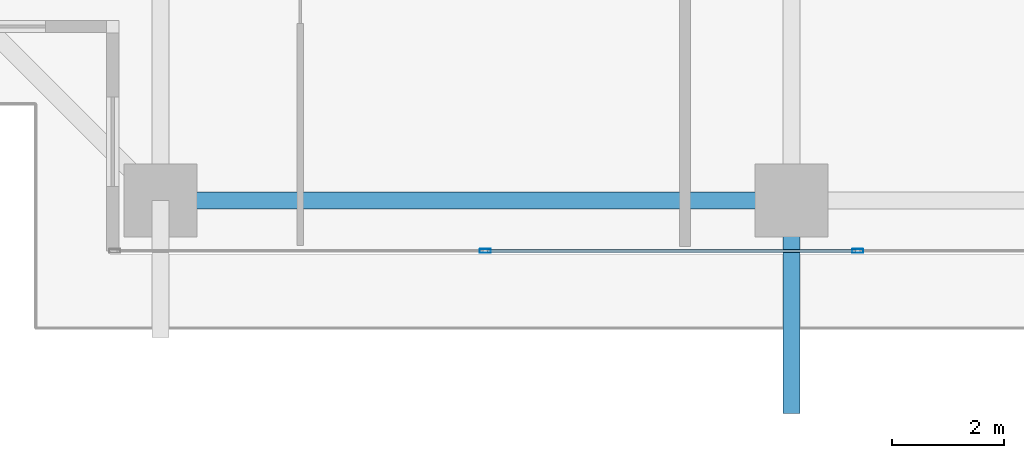
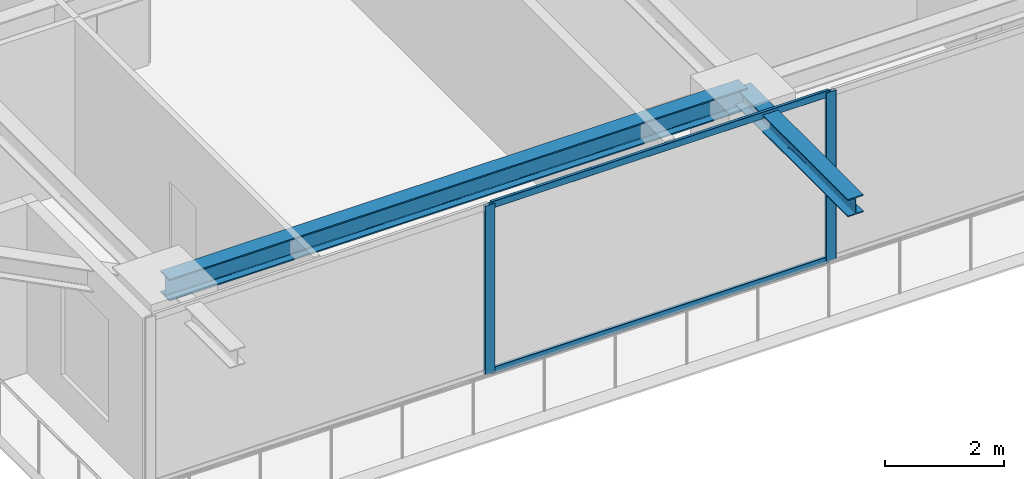
# One storey, part 5 of 37: 4 members, 2 beams, 1 element without a shape of its own.
"""IFC4 building model written with IfcOpenShell, lengths in metres."""

from ifc_helpers import new_model, si_unit, direction, frame, origin, origin_2d, place, context, subcontext, project, spatial, hollow_rectangle, i_section, extrude, source, transform, mapped, material, layer, layer_set, material_profile, profile_set, type_object, element, aggregate, save


model = new_model("IFC4")

# Units and contexts
model_context = context("Model", 3, precision=1e-05, world=origin(), true_north=direction((0.0, 1.0)))
body_context = subcontext(model_context, "Body", "Model", "MODEL_VIEW")
ifc_project = project(units=[si_unit("LENGTHUNIT", "METRE"), si_unit("AREAUNIT", "SQUARE_METRE"), si_unit("VOLUMEUNIT", "CUBIC_METRE"), si_unit("PLANEANGLEUNIT", "RADIAN"), si_unit("MASSUNIT", "GRAM", prefix="KILO")], contexts=[model_context])

# Site, building, storey
site_placement = place(None, origin())
site = spatial("IfcSite", under=ifc_project, at=site_placement, CompositionType="ELEMENT")
building_placement = place(site_placement, origin())
building = spatial("IfcBuilding", under=site, at=building_placement, Name="Serunith Strait Residences", CompositionType="ELEMENT")
storey_placement = place(building_placement, frame((0.0, 0.0, 138.89990234375)))
storey = spatial("IfcBuildingStorey", under=building, at=storey_placement, Name="L34", CompositionType="ELEMENT", Elevation=138.89990234375)

# Beams
ifc_material_1 = material(Name="Steel S355J2", Category="steel")
ifc_material_profile_1 = material_profile(ifc_material_1, i_section(OverallWidth=0.300048828125, OverallDepth=0.449951171875, WebThickness=0.013916015625, FlangeThickness=0.02587890625, FilletRadius=0.027099609375, at=origin_2d()), Name="HEB 450")
ifc_profile_set_1 = profile_set([ifc_material_profile_1], Name="Steel S355J2")
beam_type_1 = type_object("IfcBeamType", Name="BM-HEB450", PredefinedType="BEAM", material=ifc_profile_set_1)
shared_shape_1 = source(origin(), body_context, "Body", "SweptSolid", [
    extrude(i_section(OverallWidth=0.300048828125, OverallDepth=0.449951171875, WebThickness=0.013916015625, FlangeThickness=0.02587890625, FilletRadius=0.027099609375, at=origin_2d()), origin(), (0.0, 0.0, 1.0), 11.25),
])
beam_1_placement = place(storey_placement, frame((16.64990234375, 2.300048828125, 3.26220703125), z_axis=(1.0, 0.0, 0.0), x_axis=(0.0, 1.0, 0.0)))
element("IfcBeam", 1, at=beam_1_placement, inside=storey, type_object=beam_type_1, Name="L34 Perimeter Ring Beam 01", PredefinedType="BEAM", context=body_context, shape_type="MappedRepresentation", body=[
    mapped(shared_shape_1, transform((0.0, 0.0, 0.0), scale=1.0)),
])
ifc_material_profile_2 = material_profile(ifc_material_1, i_section(OverallWidth=0.300048828125, OverallDepth=0.360107421875, WebThickness=0.012451171875, FlangeThickness=0.0224609375, FilletRadius=0.027099609375, at=origin_2d()), Name="HEB 360")
ifc_profile_set_2 = profile_set([ifc_material_profile_2], Name="Steel S355J2")
beam_type_2 = type_object("IfcBeamType", Name="BM-HEB360", PredefinedType="BEAM", material=ifc_profile_set_2)
shared_shape_2 = source(origin(), body_context, "Body", "SweptSolid", [
    extrude(i_section(OverallWidth=0.300048828125, OverallDepth=0.360107421875, WebThickness=0.012451171875, FlangeThickness=0.0224609375, FilletRadius=0.027099609375, at=origin_2d()), origin(), (0.0, 0.0, 1.0), 3.800048828125),
])
beam_2_placement = place(storey_placement, frame((27.89990234375, 2.300048828125, 3.277099609375), z_axis=(0.0, -1.0, 0.0), x_axis=(1.0, 0.0, 0.0)))
element("IfcBeam", 2, at=beam_2_placement, inside=storey, type_object=beam_type_2, Name="L35 Cantilevered Balcony Rib TC-S2", PredefinedType="BEAM", context=body_context, shape_type="MappedRepresentation", body=[
    mapped(shared_shape_2, transform((0.0, 0.0, 0.0), scale=1.0)),
])

# Curtain wall, members
ifc_material_2 = material(Name="Pale-Champagne Anodised Aluminium", Category="aluminium")
ifc_layer = layer(ifc_material_2, 0.199951171875, Name="Pale-Champagne Anodised Aluminium")
ifc_layer_set = layer_set([ifc_layer], Name="Pale-Champagne Anodised Aluminium")
curtain_wall_type = type_object("IfcCurtainWallType", Name="CW-SYS2", PredefinedType="NOTDEFINED", material=ifc_layer_set)
curtain_wall_placement = place(storey_placement, origin())
curtain_wall = element("IfcCurtainWall", 3, at=curtain_wall_placement, inside=storey, type_object=curtain_wall_type, Name="L34 S Unitised Fritted Curtain Wall", PredefinedType="NOTDEFINED")
ifc_material_profile_3 = material_profile(ifc_material_2, hollow_rectangle(XDim=0.070068359375, YDim=0.199951171875, WallThickness=0.00390625, InnerFilletRadius=0.006103515625, OuterFilletRadius=0.010009765625, at=origin_2d()), Name="ALU 200x70x4")
ifc_profile_set_3 = profile_set([ifc_material_profile_3], Name="Pale-Champagne Anodised Aluminium")
member_type_1 = type_object("IfcMemberType", Name="CW-SYS2-MULL", PredefinedType="MULLION", material=ifc_profile_set_3)
shared_shape_3 = source(origin(), body_context, "Body", "SweptSolid", [
    extrude(hollow_rectangle(XDim=0.070068359375, YDim=0.199951171875, WallThickness=0.00390625, InnerFilletRadius=0.006103515625, OuterFilletRadius=0.010009765625, at=origin_2d()), origin(), (0.0, 0.0, 1.0), 3.47509765625),
])
member_1_placement = place(storey_placement, frame((22.43994140625, 1.39990234375, 0.0), z_axis=(0.0, 0.0, 1.0), x_axis=(0.0, 1.0, 0.0)))
member_1 = element("IfcMember", 4, at=member_1_placement, type_object=member_type_1, Name="CW-2 mullion 2", PredefinedType="MULLION", context=body_context, shape_type="MappedRepresentation", body=[
    mapped(shared_shape_3, transform((0.0, 0.0, 0.0), scale=1.0)),
])
member_2_placement = place(storey_placement, frame((29.080078125, 1.39990234375, 0.0), z_axis=(0.0, 0.0, 1.0), x_axis=(0.0, 1.0, 0.0)))
member_2 = element("IfcMember", 5, at=member_2_placement, type_object=member_type_1, Name="CW-2 mullion 3", PredefinedType="MULLION", context=body_context, shape_type="MappedRepresentation", body=[
    mapped(shared_shape_3, transform((0.0, 0.0, 0.0), scale=1.0)),
])
ifc_material_profile_4 = material_profile(ifc_material_2, hollow_rectangle(XDim=0.06005859375, YDim=0.139892578125, WallThickness=0.00341796875, InnerFilletRadius=0.00537109375, OuterFilletRadius=0.0087890625, at=origin_2d()), Name="ALU 140x60x3.5")
ifc_profile_set_4 = profile_set([ifc_material_profile_4], Name="Pale-Champagne Anodised Aluminium")
member_type_2 = type_object("IfcMemberType", Name="CW-SYS2-TRAN", PredefinedType="USERDEFINED", material=ifc_profile_set_4)
shared_shape_4 = source(origin(), body_context, "Body", "SweptSolid", [
    extrude(hollow_rectangle(XDim=0.06005859375, YDim=0.139892578125, WallThickness=0.00341796875, InnerFilletRadius=0.00537109375, OuterFilletRadius=0.0087890625, at=origin_2d()), origin(), (0.0, 0.0, 1.0), 6.56982421875),
])
member_3_placement = place(storey_placement, frame((22.47509765625, 1.39990234375, 0.030029296875), z_axis=(1.0, 0.0, 0.0), x_axis=(0.0, 1.0, 0.0)))
member_3 = element("IfcMember", 6, at=member_3_placement, type_object=member_type_2, Name="CW-2 transom 2.1", ObjectType="TRANSOM", PredefinedType="USERDEFINED", context=body_context, shape_type="MappedRepresentation", body=[
    mapped(shared_shape_4, transform((0.0, 0.0, 0.0), scale=1.0)),
])
member_4_placement = place(storey_placement, frame((22.47509765625, 1.39990234375, 3.445068359375), z_axis=(1.0, 0.0, 0.0), x_axis=(0.0, 1.0, 0.0)))
member_4 = element("IfcMember", 7, at=member_4_placement, type_object=member_type_2, Name="CW-2 transom 2.2", ObjectType="TRANSOM", PredefinedType="USERDEFINED", context=body_context, shape_type="MappedRepresentation", body=[
    mapped(shared_shape_4, transform((0.0, 0.0, 0.0), scale=1.0)),
])
aggregate(curtain_wall, [member_1, member_2, member_3, member_4])

save(model, "model.ifc")
